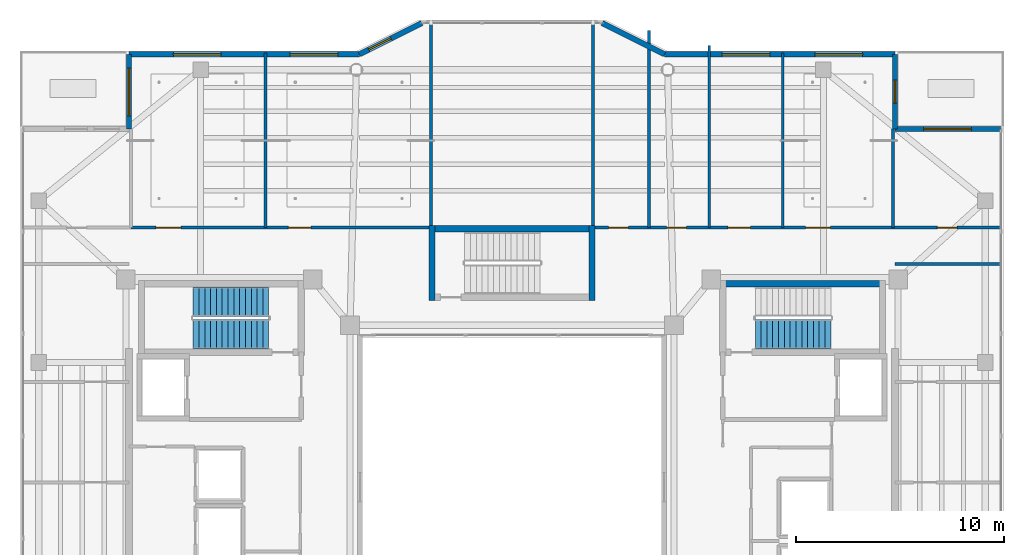
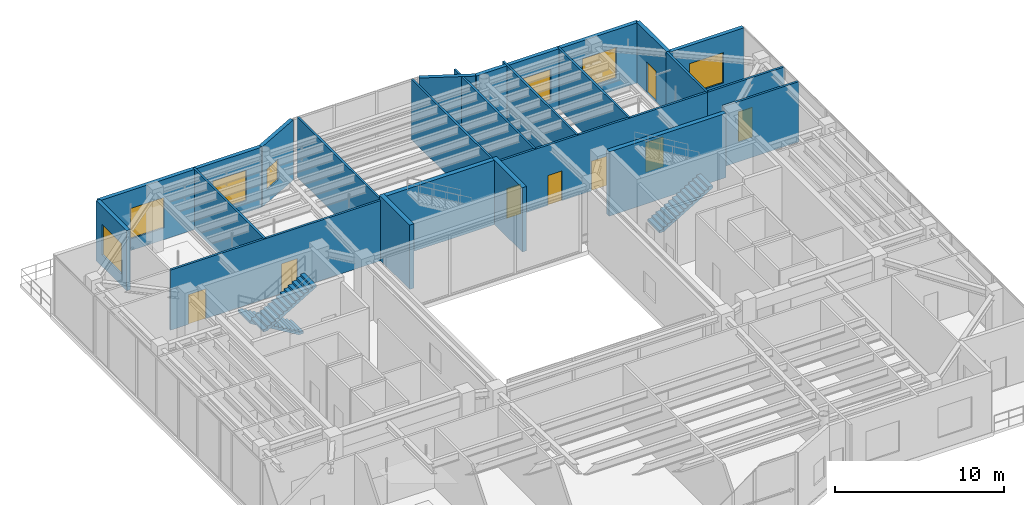
# One storey, part 26 of 34: 22 walls, 8 doors, 7 windows, 3 stair flights, 15 openings, 2 elements without a shape of their own.
"""IFC4 building model written with IfcOpenShell, lengths in metres."""

from ifc_helpers import new_model, si_unit, direction, frame, frame_2d, origin, place, context, subcontext, project, spatial, polyline, rectangle, outline, extrude, material, layer, layer_set, type_object, element, fill, aggregate, save


model = new_model("IFC4")

# Units and contexts
model_context = context("Model", 3, precision=1e-05, world=origin(), true_north=direction((0.0, 1.0)))
body_context = subcontext(model_context, "Body", "Model", "MODEL_VIEW")
ifc_project = project(units=[si_unit("LENGTHUNIT", "METRE"), si_unit("AREAUNIT", "SQUARE_METRE"), si_unit("VOLUMEUNIT", "CUBIC_METRE"), si_unit("PLANEANGLEUNIT", "RADIAN"), si_unit("MASSUNIT", "GRAM", prefix="KILO")], contexts=[model_context])

# Site, building, storey
site_placement = place(None, origin())
site = spatial("IfcSite", under=ifc_project, at=site_placement, CompositionType="ELEMENT")
building_placement = place(site_placement, origin())
building = spatial("IfcBuilding", under=site, at=building_placement, Name="Tarnavaz Court Tower", CompositionType="ELEMENT")
storey_placement = place(building_placement, frame((0.0, 0.0, 231.75)))
storey = spatial("IfcBuildingStorey", under=building, at=storey_placement, Name="L63", CompositionType="ELEMENT", Elevation=231.75)

# Walls
ifc_material_1 = material(Name="Concrete C50/60", Category="concrete")
ifc_layer_1 = layer(ifc_material_1, 0.300048828125)
ifc_layer_set_1 = layer_set([ifc_layer_1], Name="Concrete C50/60")
wall_type_1 = type_object("IfcWallType", Name="WL-CORE-300-C50", PredefinedType="SHEAR", material=ifc_layer_set_1)
for number, where, z_axis, x_axis, name in (
    (1, (10.0, 9.7900390625, 0.0), (0.0, 0.0, 1.0), (1.0, 0.0, 0.0), "L63 East Stair Core Wall 005"),
    (2, (-4.0, 12.43994140625, 0.0), (0.0, 0.0, 1.0), (1.0, 0.0, 0.0), "L63 North Stair Core Wall 009"),
):
    element("IfcWall", number, at=place(storey_placement, frame(where, z_axis=z_axis, x_axis=x_axis)), inside=storey, type_object=wall_type_1, Name=name, PredefinedType="SHEAR", context=body_context, shape_type="SweptSolid", body=[
        extrude(rectangle(XDim=8.0, YDim=0.300048828125, at=frame_2d((4.0, 0.0))), origin(), (0.0, 0.0, 1.0), 4.64990234375),
    ])
for number, where, z_axis, x_axis, name in (
    (3, (-3.85009765625, 9.0, 0.0), (0.0, 0.0, 1.0), (0.0, 1.0, 0.0), "L63 North Stair Core Wall 011"),
    (4, (3.85009765625, 9.0, 0.0), (0.0, 0.0, 1.0), (0.0, 1.0, 0.0), "L63 North Stair Core Wall 012"),
):
    element("IfcWall", number, at=place(storey_placement, frame(where, z_axis=z_axis, x_axis=x_axis)), inside=storey, type_object=wall_type_1, Name=name, PredefinedType="SHEAR", context=body_context, shape_type="SweptSolid", body=[
        extrude(rectangle(XDim=3.590087890625, YDim=0.300048828125, at=frame_2d((1.794921875, 0.0))), origin(), (0.0, 0.0, 1.0), 4.64990234375),
    ])

# Wall, opening, window
ifc_material_2 = material(Name="Precast Concrete C40/50", Category="concrete")
ifc_layer_2 = layer(ifc_material_2, 0.260009765625)
ifc_layer_set_2 = layer_set([ifc_layer_2], Name="Precast Concrete C40/50")
wall_type_2 = type_object("IfcWallType", Name="WL-EXT-260", PredefinedType="SOLIDWALL", material=ifc_layer_set_2)
wall_1_placement = place(storey_placement, frame((-18.449951171875, 17.25, 0.0), z_axis=(0.0, 0.0, 1.0), x_axis=(0.0, 1.0, 0.0)))
wall_1 = element("IfcWall", 5, at=wall_1_placement, inside=storey, type_object=wall_type_2, Name="L63 Exterior Terracotta Facade Wall 04", PredefinedType="SOLIDWALL", context=body_context, shape_type="SweptSolid", body=[
    extrude(rectangle(XDim=3.60009765625, YDim=0.260009765625, at=frame_2d((1.800048828125, 0.0))), origin(), (0.0, 0.0, 1.0), 4.35009765625),
])
opening_1_placement = place(wall_1_placement, frame((0.632568359375, 0.0, 0.85009765625)))
opening_1 = element("IfcOpeningElement", 6, at=opening_1_placement, cuts=wall_1, Name="Opening W12", PredefinedType="OPENING", context=body_context, shape_type="SweptSolid", body=[
    extrude(rectangle(XDim=2.300048828125, YDim=2.199951171875, at=frame_2d((1.14990234375, 1.10009765625))), frame((0.0, 0.139892578125, 0.0), z_axis=(0.0, -1.0, 0.0), x_axis=(1.0, 0.0, 0.0)), (0.0, 0.0, 1.0), 0.280029296875),
])
ifc_material_3 = material(Name="Double-Glazed Solar Low-E Glass", Category="glass")
window_type_1 = type_object("IfcWindowType", Name="WN-COM-2300", PartitioningType="DOUBLE_PANEL_VERTICAL", PredefinedType="WINDOW", material=ifc_material_3)
window_1_placement = place(opening_1_placement, origin())
window_1 = element("IfcWindow", 7, at=window_1_placement, inside=storey, type_object=window_type_1, Name="L63 L63 Community Banquet Assembly Hall Window", OverallHeight=2.199951171875, OverallWidth=2.300048828125, PartitioningType="SINGLE_PANEL", PredefinedType="WINDOW", context=body_context, shape_type="SweptSolid", body=[
    extrude(rectangle(XDim=2.300048828125, YDim=2.199951171875, at=frame_2d((1.14990234375, 1.10009765625))), frame((0.0, 0.030029296875, 0.0), z_axis=(0.0, -1.0, 0.0), x_axis=(1.0, 0.0, 0.0)), (0.0, 0.0, 1.0), 0.06005859375),
])
fill(opening_1, window_1)

# Wall, openings, windows
wall_2_placement = place(storey_placement, frame((-18.449951171875, 20.85009765625, 0.0), z_axis=(0.0, 0.0, 1.0), x_axis=(1.0, 0.0, 0.0)))
wall_2 = element("IfcWall", 8, at=wall_2_placement, inside=storey, type_object=wall_type_2, Name="L63 Exterior Terracotta Facade Wall 05", PredefinedType="SOLIDWALL", context=body_context, shape_type="SweptSolid", body=[
    extrude(rectangle(XDim=11.099853515625, YDim=0.260009765625, at=frame_2d((5.5498046875, 0.0))), origin(), (0.0, 0.0, 1.0), 4.35009765625),
])
opening_2_placement = place(wall_2_placement, frame((2.139892578125, 0.0, 0.85009765625)))
opening_2 = element("IfcOpeningElement", 9, at=opening_2_placement, cuts=wall_2, Name="Opening W12", PredefinedType="OPENING", context=body_context, shape_type="SweptSolid", body=[
    extrude(rectangle(XDim=2.300048828125, YDim=2.199951171875, at=frame_2d((1.14990234375, 1.10009765625))), frame((0.0, 0.139892578125, 0.0), z_axis=(0.0, -1.0, 0.0), x_axis=(1.0, 0.0, 0.0)), (0.0, 0.0, 1.0), 0.280029296875),
])
opening_3_placement = place(wall_2_placement, frame((7.76513671875, 0.0, 0.85009765625)))
opening_3 = element("IfcOpeningElement", 10, at=opening_3_placement, cuts=wall_2, Name="Opening W12", PredefinedType="OPENING", context=body_context, shape_type="SweptSolid", body=[
    extrude(rectangle(XDim=2.300048828125, YDim=2.199951171875, at=frame_2d((1.14990234375, 1.10009765625))), frame((0.0, 0.139892578125, 0.0), z_axis=(0.0, -1.0, 0.0), x_axis=(1.0, 0.0, 0.0)), (0.0, 0.0, 1.0), 0.280029296875),
])
window_2_placement = place(opening_2_placement, origin())
window_2 = element("IfcWindow", 11, at=window_2_placement, inside=storey, type_object=window_type_1, Name="L63 L63 Community Banquet Assembly Hall Window", OverallHeight=2.199951171875, OverallWidth=2.300048828125, PartitioningType="SINGLE_PANEL", PredefinedType="WINDOW", context=body_context, shape_type="SweptSolid", body=[
    extrude(rectangle(XDim=2.300048828125, YDim=2.199951171875, at=frame_2d((1.14990234375, 1.10009765625))), frame((0.0, 0.030029296875, 0.0), z_axis=(0.0, -1.0, 0.0), x_axis=(1.0, 0.0, 0.0)), (0.0, 0.0, 1.0), 0.06005859375),
])
fill(opening_2, window_2)
window_3_placement = place(opening_3_placement, origin())
window_3 = element("IfcWindow", 12, at=window_3_placement, inside=storey, type_object=window_type_1, Name="L63 L63 Resident Study Library Window", OverallHeight=2.199951171875, OverallWidth=2.300048828125, PartitioningType="SINGLE_PANEL", PredefinedType="WINDOW", context=body_context, shape_type="SweptSolid", body=[
    extrude(rectangle(XDim=2.300048828125, YDim=2.199951171875, at=frame_2d((1.14990234375, 1.10009765625))), frame((0.0, 0.030029296875, 0.0), z_axis=(0.0, -1.0, 0.0), x_axis=(1.0, 0.0, 0.0)), (0.0, 0.0, 1.0), 0.06005859375),
])
fill(opening_3, window_3)

# Wall, opening, window
wall_3_placement = place(storey_placement, frame((-7.35009765625, 20.85009765625, 0.0), z_axis=(0.0, 0.0, 1.0), x_axis=(0.894427191, 0.4472135955, 0.0)))
wall_3 = element("IfcWall", 13, at=wall_3_placement, inside=storey, type_object=wall_type_2, Name="L63 Exterior Terracotta Facade Wall 06", PredefinedType="SOLIDWALL", context=body_context, shape_type="SweptSolid", body=[
    extrude(rectangle(XDim=3.35400390625, YDim=0.260009765625, at=frame_2d((1.677001953125, 0.0))), origin(), (0.0, 0.0, 1.0), 4.35009765625),
])
opening_4_placement = place(wall_3_placement, frame((0.501220703125, 0.0, 0.949951171875)))
opening_4 = element("IfcOpeningElement", 14, at=opening_4_placement, cuts=wall_3, Name="Opening W05", PredefinedType="OPENING", context=body_context, shape_type="SweptSolid", body=[
    extrude(rectangle(XDim=1.199951171875, YDim=1.5, at=frame_2d((0.60009765625, 0.75))), frame((0.0, 0.139892578125, 0.0), z_axis=(0.0, -1.0, 0.0), x_axis=(1.0, 0.0, 0.0)), (0.0, 0.0, 1.0), 0.280029296875),
])
window_type_2 = type_object("IfcWindowType", Name="WN-APT-1200", PartitioningType="SINGLE_PANEL", PredefinedType="WINDOW", material=ifc_material_3)
window_4_placement = place(opening_4_placement, origin())
window_4 = element("IfcWindow", 15, at=window_4_placement, inside=storey, type_object=window_type_2, Name="L63 L63 Resident Study Library Window", OverallHeight=1.5, OverallWidth=1.199951171875, PartitioningType="SINGLE_PANEL", PredefinedType="WINDOW", context=body_context, shape_type="SweptSolid", body=[
    extrude(rectangle(XDim=1.199951171875, YDim=1.5, at=frame_2d((0.60009765625, 0.75))), frame((0.0, 0.030029296875, 0.0), z_axis=(0.0, -1.0, 0.0), x_axis=(1.0, 0.0, 0.0)), (0.0, 0.0, 1.0), 0.06005859375),
])
fill(opening_4, window_4)

# Wall
wall_4_placement = place(storey_placement, frame((4.35009765625, 22.35009765625, 0.0), z_axis=(0.0, 0.0, 1.0), x_axis=(0.894427191, -0.4472135955, 0.0)))
element("IfcWall", 16, at=wall_4_placement, inside=storey, type_object=wall_type_2, Name="L63 Exterior Terracotta Facade Wall 08", PredefinedType="SOLIDWALL", context=body_context, shape_type="SweptSolid", body=[
    extrude(rectangle(XDim=3.35400390625, YDim=0.260009765625, at=frame_2d((1.677001953125, 0.0))), origin(), (0.0, 0.0, 1.0), 4.35009765625),
])

# Wall, openings, windows
wall_5_placement = place(storey_placement, frame((7.35009765625, 20.85009765625, 0.0), z_axis=(0.0, 0.0, 1.0), x_axis=(1.0, 0.0, 0.0)))
wall_5 = element("IfcWall", 17, at=wall_5_placement, inside=storey, type_object=wall_type_2, Name="L63 Exterior Terracotta Facade Wall 09", PredefinedType="SOLIDWALL", context=body_context, shape_type="SweptSolid", body=[
    extrude(rectangle(XDim=11.099853515625, YDim=0.260009765625, at=frame_2d((5.5498046875, 0.0))), origin(), (0.0, 0.0, 1.0), 4.35009765625),
])
opening_5_placement = place(wall_5_placement, frame((2.767578125, 0.0, 0.85009765625)))
opening_5 = element("IfcOpeningElement", 18, at=opening_5_placement, cuts=wall_5, Name="Opening W12", PredefinedType="OPENING", context=body_context, shape_type="SweptSolid", body=[
    extrude(rectangle(XDim=2.300048828125, YDim=2.199951171875, at=frame_2d((1.14990234375, 1.10009765625))), frame((0.0, 0.139892578125, 0.0), z_axis=(0.0, -1.0, 0.0), x_axis=(1.0, 0.0, 0.0)), (0.0, 0.0, 1.0), 0.280029296875),
])
opening_6_placement = place(wall_5_placement, frame((7.23779296875, 0.0, 0.85009765625)))
opening_6 = element("IfcOpeningElement", 19, at=opening_6_placement, cuts=wall_5, Name="Opening W12", PredefinedType="OPENING", context=body_context, shape_type="SweptSolid", body=[
    extrude(rectangle(XDim=2.300048828125, YDim=2.199951171875, at=frame_2d((1.14990234375, 1.10009765625))), frame((0.0, 0.139892578125, 0.0), z_axis=(0.0, -1.0, 0.0), x_axis=(1.0, 0.0, 0.0)), (0.0, 0.0, 1.0), 0.280029296875),
])
window_5_placement = place(opening_5_placement, origin())
window_5 = element("IfcWindow", 20, at=window_5_placement, inside=storey, type_object=window_type_1, Name="L63 Community Seminar Meeting Room Window", OverallHeight=2.199951171875, OverallWidth=2.300048828125, PartitioningType="SINGLE_PANEL", PredefinedType="WINDOW", context=body_context, shape_type="SweptSolid", body=[
    extrude(rectangle(XDim=2.300048828125, YDim=2.199951171875, at=frame_2d((1.14990234375, 1.10009765625))), frame((0.0, 0.030029296875, 0.0), z_axis=(0.0, -1.0, 0.0), x_axis=(1.0, 0.0, 0.0)), (0.0, 0.0, 1.0), 0.06005859375),
])
fill(opening_5, window_5)
window_6_placement = place(opening_6_placement, origin())
window_6 = element("IfcWindow", 21, at=window_6_placement, inside=storey, type_object=window_type_1, Name="L63 L63 Fitness Studio Window", OverallHeight=2.199951171875, OverallWidth=2.300048828125, PartitioningType="SINGLE_PANEL", PredefinedType="WINDOW", context=body_context, shape_type="SweptSolid", body=[
    extrude(rectangle(XDim=2.300048828125, YDim=2.199951171875, at=frame_2d((1.14990234375, 1.10009765625))), frame((0.0, 0.030029296875, 0.0), z_axis=(0.0, -1.0, 0.0), x_axis=(1.0, 0.0, 0.0)), (0.0, 0.0, 1.0), 0.06005859375),
])
fill(opening_6, window_6)

# Wall, opening, door
wall_6_placement = place(storey_placement, frame((18.449951171875, 20.85009765625, 0.0), z_axis=(0.0, 0.0, 1.0), x_axis=(0.0, -1.0, 0.0)))
wall_6 = element("IfcWall", 22, at=wall_6_placement, inside=storey, type_object=wall_type_2, Name="L63 Exterior Terracotta Facade Wall 10", PredefinedType="SOLIDWALL", context=body_context, shape_type="SweptSolid", body=[
    extrude(rectangle(XDim=3.60009765625, YDim=0.260009765625, at=frame_2d((1.800048828125, 0.0))), origin(), (0.0, 0.0, 1.0), 4.35009765625),
])
opening_7_placement = place(wall_6_placement, frame((1.25, 0.0, 0.0)))
opening_7 = element("IfcOpeningElement", 23, at=opening_7_placement, cuts=wall_6, Name="Opening TD1", PredefinedType="OPENING", context=body_context, shape_type="SweptSolid", body=[
    extrude(rectangle(XDim=1.10009765625, YDim=2.199951171875, at=frame_2d((0.550048828125, 1.10009765625))), frame((0.0, 0.139892578125, 0.0), z_axis=(0.0, -1.0, 0.0), x_axis=(1.0, 0.0, 0.0)), (0.0, 0.0, 1.0), 0.280029296875),
])
ifc_material_4 = material(Name="Thermally Broken Aluminium and Laminated Glass", Category="aluminium")
door_type_1 = type_object("IfcDoorType", Name="DR-TERR-1100", OperationType="NOTDEFINED", PredefinedType="DOOR", material=ifc_material_4)
door_1_placement = place(opening_7_placement, origin())
door_1 = element("IfcDoor", 24, at=door_1_placement, inside=storey, type_object=door_type_1, Name="L63 Sky Terrace Access Door 1", OperationType="SINGLE_SWING_LEFT", OverallHeight=2.199951171875, OverallWidth=1.10009765625, PredefinedType="DOOR", context=body_context, shape_type="SweptSolid", body=[
    extrude(rectangle(XDim=1.10009765625, YDim=2.199951171875, at=frame_2d((0.550048828125, 1.10009765625))), frame((0.0, 0.02490234375, 0.0), z_axis=(0.0, -1.0, 0.0), x_axis=(1.0, 0.0, 0.0)), (0.0, 0.0, 1.0), 0.050048828125),
])
fill(opening_7, door_1)

# Wall, opening, window
wall_7_placement = place(storey_placement, frame((18.449951171875, 17.25, 0.0), z_axis=(0.0, 0.0, 1.0), x_axis=(1.0, 0.0, 0.0)))
wall_7 = element("IfcWall", 25, at=wall_7_placement, inside=storey, type_object=wall_type_2, Name="L63 Exterior Terracotta Facade Wall 11", PredefinedType="SOLIDWALL", context=body_context, shape_type="SweptSolid", body=[
    extrude(rectangle(XDim=5.10009765625, YDim=0.260009765625, at=frame_2d((2.550048828125, 0.0))), origin(), (0.0, 0.0, 1.0), 4.35009765625),
])
opening_8_placement = place(wall_7_placement, frame((1.375, 0.0, 0.85009765625)))
opening_8 = element("IfcOpeningElement", 26, at=opening_8_placement, cuts=wall_7, Name="Opening W12", PredefinedType="OPENING", context=body_context, shape_type="SweptSolid", body=[
    extrude(rectangle(XDim=2.300048828125, YDim=2.199951171875, at=frame_2d((1.14990234375, 1.10009765625))), frame((0.0, 0.139892578125, 0.0), z_axis=(0.0, -1.0, 0.0), x_axis=(1.0, 0.0, 0.0)), (0.0, 0.0, 1.0), 0.280029296875),
])
window_7_placement = place(opening_8_placement, origin())
window_7 = element("IfcWindow", 27, at=window_7_placement, inside=storey, type_object=window_type_1, Name="L63 L63 NE Terrace Salon Window", OverallHeight=2.199951171875, OverallWidth=2.300048828125, PartitioningType="SINGLE_PANEL", PredefinedType="WINDOW", context=body_context, shape_type="SweptSolid", body=[
    extrude(rectangle(XDim=2.300048828125, YDim=2.199951171875, at=frame_2d((1.14990234375, 1.10009765625))), frame((0.0, 0.030029296875, 0.0), z_axis=(0.0, -1.0, 0.0), x_axis=(1.0, 0.0, 0.0)), (0.0, 0.0, 1.0), 0.06005859375),
])
fill(opening_8, window_7)

# Wall, openings, doors
ifc_material_5 = material(Name="Gypsum Fire-Board on Acoustic Metal Stud", Category="masonry")
ifc_layer_3 = layer(ifc_material_5, 0.14990234375)
ifc_layer_set_3 = layer_set([ifc_layer_3], Name="Gypsum Fire-Board on Acoustic Metal Stud")
wall_type_3 = type_object("IfcWallType", Name="WL-FIRE-150", PredefinedType="PARTITIONING", material=ifc_layer_set_3)
wall_8_placement = place(storey_placement, frame((-18.35009765625, 12.5, 0.0), z_axis=(0.0, 0.0, 1.0), x_axis=(1.0, 0.0, 0.0)))
wall_8 = element("IfcWall", 28, at=wall_8_placement, inside=storey, type_object=wall_type_3, Name="L63 NW Wing Corridor Wall 060", PredefinedType="PARTITIONING", context=body_context, shape_type="SweptSolid", body=[
    extrude(rectangle(XDim=14.5, YDim=0.14990234375, at=frame_2d((7.25, 0.0))), origin(), (0.0, 0.0, 1.0), 4.35009765625),
])
opening_9_placement = place(wall_8_placement, frame((1.199951171875, 0.0, 0.0)))
opening_9 = element("IfcOpeningElement", 29, at=opening_9_placement, cuts=wall_8, Name="Opening D11", PredefinedType="OPENING", context=body_context, shape_type="SweptSolid", body=[
    extrude(rectangle(XDim=1.199951171875, YDim=2.14990234375, at=frame_2d((0.60009765625, 1.074951171875))), frame((0.0, 0.0849609375, 0.0), z_axis=(0.0, -1.0, 0.0), x_axis=(1.0, 0.0, 0.0)), (0.0, 0.0, 1.0), 0.169921875),
])
opening_10_placement = place(wall_8_placement, frame((7.580078125, 0.0, 0.0)))
opening_10 = element("IfcOpeningElement", 30, at=opening_10_placement, cuts=wall_8, Name="Opening D12", PredefinedType="OPENING", context=body_context, shape_type="SweptSolid", body=[
    extrude(rectangle(XDim=1.080078125, YDim=2.14990234375, at=frame_2d((0.5400390625, 1.074951171875))), frame((0.0, 0.0849609375, 0.0), z_axis=(0.0, -1.0, 0.0), x_axis=(1.0, 0.0, 0.0)), (0.0, 0.0, 1.0), 0.169921875),
])
ifc_material_6 = material(Name="Engineered Oak Timber", Category="wood")
door_type_2 = type_object("IfcDoorType", Name="DR-INT-1100", OperationType="NOTDEFINED", PredefinedType="DOOR", material=ifc_material_6)
door_2_placement = place(opening_10_placement, origin())
door_2 = element("IfcDoor", 31, at=door_2_placement, inside=storey, type_object=door_type_2, Name="L63 L63 Resident Study Library Door", OperationType="SINGLE_SWING_LEFT", OverallHeight=2.14990234375, OverallWidth=1.080078125, PredefinedType="DOOR", context=body_context, shape_type="SweptSolid", body=[
    extrude(rectangle(XDim=1.080078125, YDim=2.14990234375, at=frame_2d((0.5400390625, 1.074951171875))), frame((0.0, 0.02490234375, 0.0), z_axis=(0.0, -1.0, 0.0), x_axis=(1.0, 0.0, 0.0)), (0.0, 0.0, 1.0), 0.050048828125),
])
fill(opening_10, door_2)
door_type_3 = type_object("IfcDoorType", Name="DR-INT-1200", OperationType="NOTDEFINED", PredefinedType="DOOR", material=ifc_material_6)
door_3_placement = place(opening_9_placement, origin())
door_3 = element("IfcDoor", 32, at=door_3_placement, inside=storey, type_object=door_type_3, Name="L63 L63 Community Banquet Assembly Hall Door", OperationType="SINGLE_SWING_RIGHT", OverallHeight=2.14990234375, OverallWidth=1.199951171875, PredefinedType="DOOR", context=body_context, shape_type="SweptSolid", body=[
    extrude(rectangle(XDim=1.199951171875, YDim=2.14990234375, at=frame_2d((0.60009765625, 1.074951171875))), frame((0.0, 0.02490234375, 0.0), z_axis=(0.0, -1.0, 0.0), x_axis=(1.0, 0.0, 0.0)), (0.0, 0.0, 1.0), 0.050048828125),
])
fill(opening_9, door_3)

wall_9_placement = place(storey_placement, frame((3.85009765625, 12.5, 0.0), z_axis=(0.0, 0.0, 1.0), x_axis=(1.0, 0.0, 0.0)))
wall_9 = element("IfcWall", 33, at=wall_9_placement, inside=storey, type_object=wall_type_3, Name="L63 NE Wing Corridor Wall 061", PredefinedType="PARTITIONING", context=body_context, shape_type="SweptSolid", body=[
    extrude(rectangle(XDim=14.5, YDim=0.14990234375, at=frame_2d((7.25, 0.0))), origin(), (0.0, 0.0, 1.0), 4.35009765625),
])
opening_11_placement = place(wall_9_placement, frame((0.800048828125, 0.0, 0.0)))
opening_11 = element("IfcOpeningElement", 34, at=opening_11_placement, cuts=wall_9, Name="Opening D13", PredefinedType="OPENING", context=body_context, shape_type="SweptSolid", body=[
    extrude(rectangle(XDim=0.949951171875, YDim=2.14990234375, at=frame_2d((0.47509765625, 1.074951171875))), frame((0.0, 0.0849609375, 0.0), z_axis=(0.0, -1.0, 0.0), x_axis=(1.0, 0.0, 0.0)), (0.0, 0.0, 1.0), 0.169921875),
])
opening_12_placement = place(wall_9_placement, frame((3.60009765625, 0.0, 0.0)))
opening_12 = element("IfcOpeningElement", 35, at=opening_12_placement, cuts=wall_9, Name="Opening D13", PredefinedType="OPENING", context=body_context, shape_type="SweptSolid", body=[
    extrude(rectangle(XDim=0.949951171875, YDim=2.14990234375, at=frame_2d((0.47509765625, 1.074951171875))), frame((0.0, 0.0849609375, 0.0), z_axis=(0.0, -1.0, 0.0), x_axis=(1.0, 0.0, 0.0)), (0.0, 0.0, 1.0), 0.169921875),
])
opening_13_placement = place(wall_9_placement, frame((6.550048828125, 0.0, 0.0)))
opening_13 = element("IfcOpeningElement", 36, at=opening_13_placement, cuts=wall_9, Name="Opening D12", PredefinedType="OPENING", context=body_context, shape_type="SweptSolid", body=[
    extrude(rectangle(XDim=1.080078125, YDim=2.14990234375, at=frame_2d((0.5400390625, 1.074951171875))), frame((0.0, 0.0849609375, 0.0), z_axis=(0.0, -1.0, 0.0), x_axis=(1.0, 0.0, 0.0)), (0.0, 0.0, 1.0), 0.169921875),
])
opening_14_placement = place(wall_9_placement, frame((10.2900390625, 0.0, 0.0)))
opening_14 = element("IfcOpeningElement", 37, at=opening_14_placement, cuts=wall_9, Name="Opening D11", PredefinedType="OPENING", context=body_context, shape_type="SweptSolid", body=[
    extrude(rectangle(XDim=1.199951171875, YDim=2.14990234375, at=frame_2d((0.60009765625, 1.074951171875))), frame((0.0, 0.0849609375, 0.0), z_axis=(0.0, -1.0, 0.0), x_axis=(1.0, 0.0, 0.0)), (0.0, 0.0, 1.0), 0.169921875),
])
door_4_placement = place(opening_13_placement, origin())
door_4 = element("IfcDoor", 38, at=door_4_placement, inside=storey, type_object=door_type_2, Name="L63 Community Meeting Room Door", OperationType="SINGLE_SWING_RIGHT", OverallHeight=2.14990234375, OverallWidth=1.080078125, PredefinedType="DOOR", context=body_context, shape_type="SweptSolid", body=[
    extrude(rectangle(XDim=1.080078125, YDim=2.14990234375, at=frame_2d((0.5400390625, 1.074951171875))), frame((0.0, 0.02490234375, 0.0), z_axis=(0.0, -1.0, 0.0), x_axis=(1.0, 0.0, 0.0)), (0.0, 0.0, 1.0), 0.050048828125),
])
fill(opening_13, door_4)
door_5_placement = place(opening_14_placement, origin())
door_5 = element("IfcDoor", 39, at=door_5_placement, inside=storey, type_object=door_type_3, Name="L63 L63 Fitness Studio Door", OperationType="SINGLE_SWING_LEFT", OverallHeight=2.14990234375, OverallWidth=1.199951171875, PredefinedType="DOOR", context=body_context, shape_type="SweptSolid", body=[
    extrude(rectangle(XDim=1.199951171875, YDim=2.14990234375, at=frame_2d((0.60009765625, 1.074951171875))), frame((0.0, 0.02490234375, 0.0), z_axis=(0.0, -1.0, 0.0), x_axis=(1.0, 0.0, 0.0)), (0.0, 0.0, 1.0), 0.050048828125),
])
fill(opening_14, door_5)
door_type_4 = type_object("IfcDoorType", Name="DR-INT-950", OperationType="NOTDEFINED", PredefinedType="DOOR", material=ifc_material_6)
door_6_placement = place(opening_11_placement, origin())
door_6 = element("IfcDoor", 40, at=door_6_placement, inside=storey, type_object=door_type_4, Name="L63 Accessible WC Door", OperationType="SINGLE_SWING_RIGHT", OverallHeight=2.14990234375, OverallWidth=0.949951171875, PredefinedType="DOOR", context=body_context, shape_type="SweptSolid", body=[
    extrude(rectangle(XDim=0.949951171875, YDim=2.14990234375, at=frame_2d((0.47509765625, 1.074951171875))), frame((0.0, 0.02490234375, 0.0), z_axis=(0.0, -1.0, 0.0), x_axis=(1.0, 0.0, 0.0)), (0.0, 0.0, 1.0), 0.050048828125),
])
fill(opening_11, door_6)
door_7_placement = place(opening_12_placement, origin())
door_7 = element("IfcDoor", 41, at=door_7_placement, inside=storey, type_object=door_type_4, Name="L63 Public Toilets Door", OperationType="SINGLE_SWING_LEFT", OverallHeight=2.14990234375, OverallWidth=0.949951171875, PredefinedType="DOOR", context=body_context, shape_type="SweptSolid", body=[
    extrude(rectangle(XDim=0.949951171875, YDim=2.14990234375, at=frame_2d((0.47509765625, 1.074951171875))), frame((0.0, 0.02490234375, 0.0), z_axis=(0.0, -1.0, 0.0), x_axis=(1.0, 0.0, 0.0)), (0.0, 0.0, 1.0), 0.050048828125),
])
fill(opening_12, door_7)

# Wall
wall_10_placement = place(storey_placement, frame((18.449951171875, 10.75, 0.0), z_axis=(0.0, 0.0, 1.0), x_axis=(1.0, 0.0, 0.0)))
element("IfcWall", 42, at=wall_10_placement, inside=storey, type_object=wall_type_3, Name="L63 Interior Partition 079", PredefinedType="PARTITIONING", context=body_context, shape_type="SweptSolid", body=[
    extrude(rectangle(XDim=5.130126953125, YDim=0.14990234375, at=frame_2d((2.56494140625, 0.0))), origin(), (0.0, 0.0, 1.0), 4.35009765625),
])

# Wall, opening, door
wall_11_placement = place(storey_placement, frame((18.35009765625, 12.5, 0.0), z_axis=(0.0, 0.0, 1.0), x_axis=(1.0, 0.0, 0.0)))
wall_11 = element("IfcWall", 43, at=wall_11_placement, inside=storey, type_object=wall_type_3, Name="L63 Interior Partition 085", PredefinedType="PARTITIONING", context=body_context, shape_type="SweptSolid", body=[
    extrude(rectangle(XDim=5.22998046875, YDim=0.14990234375, at=frame_2d((2.614990234375, 0.0))), origin(), (0.0, 0.0, 1.0), 4.35009765625),
])
opening_15_placement = place(wall_11_placement, frame((2.139892578125, 0.0, 0.0)))
opening_15 = element("IfcOpeningElement", 44, at=opening_15_placement, cuts=wall_11, Name="Opening D13", PredefinedType="OPENING", context=body_context, shape_type="SweptSolid", body=[
    extrude(rectangle(XDim=0.949951171875, YDim=2.14990234375, at=frame_2d((0.47509765625, 1.074951171875))), frame((0.0, 0.0849609375, 0.0), z_axis=(0.0, -1.0, 0.0), x_axis=(1.0, 0.0, 0.0)), (0.0, 0.0, 1.0), 0.169921875),
])
door_8_placement = place(opening_15_placement, origin())
door_8 = element("IfcDoor", 45, at=door_8_placement, inside=storey, type_object=door_type_4, Name="L63 NE Terrace Salon Door", OperationType="SINGLE_SWING_LEFT", OverallHeight=2.14990234375, OverallWidth=0.949951171875, PredefinedType="DOOR", context=body_context, shape_type="SweptSolid", body=[
    extrude(rectangle(XDim=0.949951171875, YDim=2.14990234375, at=frame_2d((0.47509765625, 1.074951171875))), frame((0.0, 0.02490234375, 0.0), z_axis=(0.0, -1.0, 0.0), x_axis=(1.0, 0.0, 0.0)), (0.0, 0.0, 1.0), 0.050048828125),
])
fill(opening_15, door_8)

# Walls
ifc_material_7 = material(Name="Gypsum Plasterboard Acoustic Partition", Category="masonry")
ifc_layer_4 = layer(ifc_material_7, 0.139892578125)
ifc_layer_set_4 = layer_set([ifc_layer_4], Name="Gypsum Plasterboard Acoustic Partition")
wall_type_4 = type_object("IfcWallType", Name="WL-PART-150", PredefinedType="PARTITIONING", material=ifc_layer_set_4)
for number, where, z_axis, x_axis, name in (
    (46, (-3.89990234375, 12.5, 0.0), (0.0, 0.0, 1.0), (0.0, 1.0, 0.0), "L63 Interior Partition 064"),
    (47, (3.89990234375, 12.5, 0.0), (0.0, 0.0, 1.0), (0.0, 1.0, 0.0), "L63 Interior Partition 065"),
):
    element("IfcWall", number, at=place(storey_placement, frame(where, z_axis=z_axis, x_axis=x_axis)), inside=storey, type_object=wall_type_4, Name=name, PredefinedType="PARTITIONING", context=body_context, shape_type="SweptSolid", body=[
        extrude(rectangle(XDim=9.8798828125, YDim=0.139892578125, at=frame_2d((4.93994140625, 0.0))), origin(), (0.0, 0.0, 1.0), 4.35009765625),
    ])
wall_12_placement = place(storey_placement, frame((-11.8701171875, 12.5, 0.0), z_axis=(0.0, 0.0, 1.0), x_axis=(0.0, 1.0, 0.0)))
element("IfcWall", 48, at=wall_12_placement, inside=storey, type_object=wall_type_4, Name="L63 Interior Partition 066", PredefinedType="PARTITIONING", context=body_context, shape_type="SweptSolid", body=[
    extrude(rectangle(XDim=8.39990234375, YDim=0.139892578125, at=frame_2d((4.199951171875, 0.0))), origin(), (0.0, 0.0, 1.0), 4.35009765625),
])
wall_13_placement = place(storey_placement, frame((6.60009765625, 12.5, 0.0), z_axis=(0.0, 0.0, 1.0), x_axis=(0.0, 1.0, 0.0)))
element("IfcWall", 49, at=wall_13_placement, inside=storey, type_object=wall_type_4, Name="L63 Interior Partition 067", PredefinedType="PARTITIONING", context=body_context, shape_type="SweptSolid", body=[
    extrude(rectangle(XDim=9.485107421875, YDim=0.139892578125, at=frame_2d((4.74267578125, 0.0))), origin(), (0.0, 0.0, 1.0), 4.35009765625),
])
wall_14_placement = place(storey_placement, frame((9.5, 12.5, 0.0), z_axis=(0.0, 0.0, 1.0), x_axis=(0.0, 1.0, 0.0)))
element("IfcWall", 50, at=wall_14_placement, inside=storey, type_object=wall_type_4, Name="L63 Interior Partition 068", PredefinedType="PARTITIONING", context=body_context, shape_type="SweptSolid", body=[
    extrude(rectangle(XDim=8.77001953125, YDim=0.139892578125, at=frame_2d((4.385009765625, 0.0))), origin(), (0.0, 0.0, 1.0), 4.35009765625),
])
wall_15_placement = place(storey_placement, frame((13.0400390625, 12.5, 0.0), z_axis=(0.0, 0.0, 1.0), x_axis=(0.0, 1.0, 0.0)))
element("IfcWall", 51, at=wall_15_placement, inside=storey, type_object=wall_type_4, Name="L63 Interior Partition 069", PredefinedType="PARTITIONING", context=body_context, shape_type="SweptSolid", body=[
    extrude(rectangle(XDim=8.39990234375, YDim=0.139892578125, at=frame_2d((4.199951171875, 0.0))), origin(), (0.0, 0.0, 1.0), 4.35009765625),
])
wall_16_placement = place(storey_placement, frame((18.35009765625, 12.5, 0.0), z_axis=(0.0, 0.0, 1.0), x_axis=(0.0, 1.0, 0.0)))
element("IfcWall", 52, at=wall_16_placement, inside=storey, type_object=wall_type_4, Name="L63 Interior Partition 083", PredefinedType="PARTITIONING", context=body_context, shape_type="SweptSolid", body=[
    extrude(rectangle(XDim=4.75, YDim=0.139892578125, at=frame_2d((2.375, 0.0))), origin(), (0.0, 0.0, 1.0), 4.35009765625),
])

# Stair, stair flights
ifc_material_8 = material(Name="Concrete C40/50", Category="concrete")
stair_type = type_object("IfcStairType", Name="ST-TWR-28R", PredefinedType="HALF_TURN_STAIR", material=ifc_material_8)
stair_1_placement = place(storey_placement, origin())
stair_1 = element("IfcStair", 53, at=stair_1_placement, inside=storey, type_object=stair_type, Name="L63 West Core Pressurized Exit Stair ST-W1", PredefinedType="HALF_TURN_STAIR")
stair_flight_type = type_object("IfcStairFlightType", Name="SFL-RC-28R", PredefinedType="STRAIGHT", material=ifc_material_8)
stair_flight_1_placement = place(storey_placement, frame((-11.719970703125, 8.929931640625, 0.0), z_axis=(0.0, 0.0, 1.0), x_axis=(-1.0, 0.0, 0.0)))
stair_flight_1 = element("IfcStairFlight", 54, at=stair_flight_1_placement, type_object=stair_flight_type, Name="ST-W1 flight 1", NumberOfRisers=14, NumberOfTreads=13, PredefinedType="STRAIGHT", RiserHeight=0.166071429, TreadLength=0.28, context=body_context, shape_type="SweptSolid", body=[
    extrude(outline(polyline([(0.0, 0.0), (0.0, 0.166015625), (0.280029296875, 0.166015625), (0.280029296875, 0.33203125), (0.56005859375, 0.33203125), (0.56005859375, 0.498291015625), (0.840087890625, 0.498291015625), (0.840087890625, 0.664306640625), (1.1201171875, 0.664306640625), (1.1201171875, 0.830322265625), (1.39990234375, 0.830322265625), (1.39990234375, 0.996337890625), (1.679931640625, 0.996337890625), (1.679931640625, 1.16259765625), (1.9599609375, 1.16259765625), (1.9599609375, 1.32861328125), (2.239990234375, 1.32861328125), (2.239990234375, 1.49462890625), (2.52001953125, 1.49462890625), (2.52001953125, 1.66064453125), (2.800048828125, 1.66064453125), (2.800048828125, 1.826904296875), (3.080078125, 1.826904296875), (3.080078125, 1.992919921875), (3.360107421875, 1.992919921875), (3.360107421875, 2.158935546875), (3.639892578125, 2.158935546875), (3.639892578125, 2.324951171875), (3.639892578125, 1.984619140625), (0.2939453125, 0.0), (0.0, 0.0)])), frame((0.0, 0.7099609375, 0.0), z_axis=(0.0, -1.0, 0.0), x_axis=(1.0, 0.0, 0.0)), (0.0, 0.0, 1.0), 1.419921875),
])
stair_flight_2_placement = place(storey_placement, frame((-15.360107421875, 7.360107421875, 2.324951171875), z_axis=(0.0, 0.0, 1.0), x_axis=(1.0, 0.0, 0.0)))
stair_flight_2 = element("IfcStairFlight", 55, at=stair_flight_2_placement, type_object=stair_flight_type, Name="ST-W1 flight 2", NumberOfRisers=14, NumberOfTreads=13, PredefinedType="STRAIGHT", RiserHeight=0.166071429, TreadLength=0.28, context=body_context, shape_type="SweptSolid", body=[
    extrude(outline(polyline([(0.0, 0.0), (0.0, 0.166015625), (0.280029296875, 0.166015625), (0.280029296875, 0.33203125), (0.56005859375, 0.33203125), (0.56005859375, 0.498291015625), (0.840087890625, 0.498291015625), (0.840087890625, 0.664306640625), (1.1201171875, 0.664306640625), (1.1201171875, 0.830322265625), (1.39990234375, 0.830322265625), (1.39990234375, 0.996337890625), (1.679931640625, 0.996337890625), (1.679931640625, 1.16259765625), (1.9599609375, 1.16259765625), (1.9599609375, 1.32861328125), (2.239990234375, 1.32861328125), (2.239990234375, 1.49462890625), (2.52001953125, 1.49462890625), (2.52001953125, 1.66064453125), (2.800048828125, 1.66064453125), (2.800048828125, 1.826904296875), (3.080078125, 1.826904296875), (3.080078125, 1.992919921875), (3.360107421875, 1.992919921875), (3.360107421875, 2.158935546875), (3.639892578125, 2.158935546875), (3.639892578125, 2.324951171875), (3.639892578125, 1.984619140625), (0.2939453125, 0.0), (0.0, 0.0)])), frame((0.0, 0.7099609375, 0.0), z_axis=(0.0, -1.0, 0.0), x_axis=(1.0, 0.0, 0.0)), (0.0, 0.0, 1.0), 1.419921875),
])
aggregate(stair_1, [stair_flight_1, stair_flight_2])

# Stair, stair flight
stair_2_placement = place(storey_placement, origin())
stair_2 = element("IfcStair", 56, at=stair_2_placement, inside=storey, type_object=stair_type, Name="L63 East Core Pressurized Exit Stair ST-E1", PredefinedType="HALF_TURN_STAIR")
stair_flight_3_placement = place(storey_placement, frame((11.719970703125, 7.360107421875, 0.0), z_axis=(0.0, 0.0, 1.0), x_axis=(1.0, 0.0, 0.0)))
stair_flight_3 = element("IfcStairFlight", 57, at=stair_flight_3_placement, type_object=stair_flight_type, Name="ST-E1 flight 1", NumberOfRisers=14, NumberOfTreads=13, PredefinedType="STRAIGHT", RiserHeight=0.166071429, TreadLength=0.28, context=body_context, shape_type="SweptSolid", body=[
    extrude(outline(polyline([(0.0, 0.0), (0.0, 0.166015625), (0.280029296875, 0.166015625), (0.280029296875, 0.33203125), (0.56005859375, 0.33203125), (0.56005859375, 0.498291015625), (0.840087890625, 0.498291015625), (0.840087890625, 0.664306640625), (1.1201171875, 0.664306640625), (1.1201171875, 0.830322265625), (1.39990234375, 0.830322265625), (1.39990234375, 0.996337890625), (1.679931640625, 0.996337890625), (1.679931640625, 1.16259765625), (1.9599609375, 1.16259765625), (1.9599609375, 1.32861328125), (2.239990234375, 1.32861328125), (2.239990234375, 1.49462890625), (2.52001953125, 1.49462890625), (2.52001953125, 1.66064453125), (2.800048828125, 1.66064453125), (2.800048828125, 1.826904296875), (3.080078125, 1.826904296875), (3.080078125, 1.992919921875), (3.360107421875, 1.992919921875), (3.360107421875, 2.158935546875), (3.639892578125, 2.158935546875), (3.639892578125, 2.324951171875), (3.639892578125, 1.984619140625), (0.2939453125, 0.0), (0.0, 0.0)])), frame((0.0, 0.7099609375, 0.0), z_axis=(0.0, -1.0, 0.0), x_axis=(1.0, 0.0, 0.0)), (0.0, 0.0, 1.0), 1.419921875),
])
aggregate(stair_2, [stair_flight_3])

save(model, "model.ifc")
